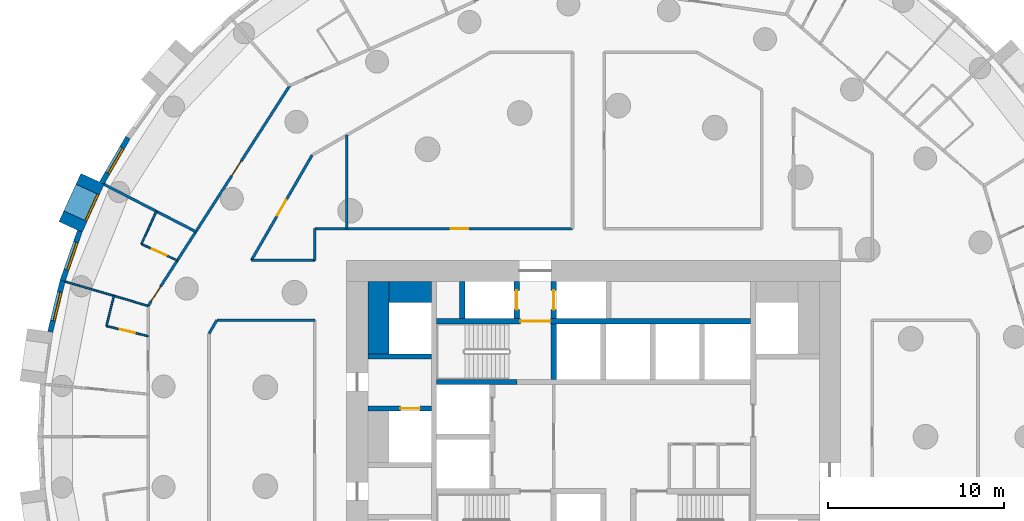
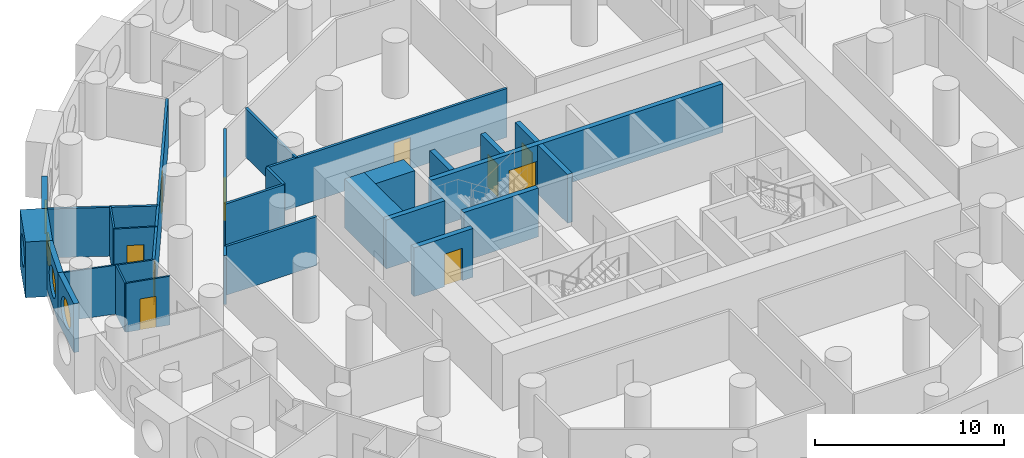
# One storey, part 7 of 12: 29 walls, 10 doors, 4 windows, 14 openings.
"""IFC4 building model written with IfcOpenShell, lengths in metres."""

import ifcopenshell
import ifcopenshell.guid

model = None  # the IFC model being written
_history = None  # IfcOwnerHistory: only IFC2X3 demands one
_inside = {}  # id of a spatial element -> (the spatial element, [elements in it])
_under = {}  # id of a project, library or spatial element -> (it, [spatial elements below it])
_declared = {}  # id of a project -> (the project, [libraries it declares])
_typed = {}  # id of a type object -> (the type object, [elements of that type])
_made_of = {}  # id of a material, layer set ... -> (it, [elements and type objects made of it])


def new_model(schema):
    """Start an empty IFC model of exactly this schema.

    Asked for "IFC4X3", IfcOpenShell would pick the latest addendum, in which some entities
    have other attributes; the version numbers below select the first issue.
    IFC2X3 requires an IfcOwnerHistory on every rooted entity: one is made here for all.
    """
    global model, _history
    if schema == "IFC4X3":
        model = ifcopenshell.file(schema_version=(4, 3, 0, 0))
    else:
        model = ifcopenshell.file(schema=schema)
    _inside.clear()
    _under.clear()
    _declared.clear()
    _typed.clear()
    _made_of.clear()
    _history = None
    if model.schema == "IFC2X3":
        org = make("IfcOrganization", Name="unknown")
        user = make(
            "IfcPersonAndOrganization",
            ThePerson=make("IfcPerson", FamilyName="unknown"),
            TheOrganization=org,
        )
        app = make(
            "IfcApplication",
            ApplicationDeveloper=org,
            Version="unknown",
            ApplicationFullName="unknown",
            ApplicationIdentifier="unknown",
        )
        _history = make(
            "IfcOwnerHistory",
            OwningUser=user,
            OwningApplication=app,
            ChangeAction="ADDED",
            CreationDate=0,
        )
    return model


def make(cls, **values):
    """One entity of the class cls with the attributes given. An attribute that is None is left unset."""
    return model.create_entity(
        cls, **{name: value for name, value in values.items() if value is not None}
    )


def rooted(cls, **values):
    """An entity with a GlobalId (a new one), such as an element, a storey or a relation."""
    return make(cls, GlobalId=ifcopenshell.guid.new(), OwnerHistory=_history, **values)


def si_unit(unit_type, name, prefix=None):
    """IfcSIUnit, for example si_unit("LENGTHUNIT", "METRE", prefix="MILLI")."""
    return make("IfcSIUnit", UnitType=unit_type, Prefix=prefix, Name=name)


def assignment(units):
    """IfcUnitAssignment: the units of a project."""
    return None if units is None else make("IfcUnitAssignment", Units=units)


def point(xyz):
    """IfcCartesianPoint."""
    return None if xyz is None else make("IfcCartesianPoint", Coordinates=xyz)


def direction(xyz):
    """IfcDirection."""
    return None if xyz is None else make("IfcDirection", DirectionRatios=xyz)


def frame(location, z_axis=None, x_axis=None):
    """IfcAxis2Placement3D, a coordinate frame: its origin and axes. An axis left out is left unset."""
    return make(
        "IfcAxis2Placement3D",
        Location=point(location),
        Axis=direction(z_axis),
        RefDirection=direction(x_axis),
    )


def frame_2d(location, x_axis=None):
    """IfcAxis2Placement2D, a coordinate frame in the plane: its origin and x axis."""
    return make(
        "IfcAxis2Placement2D", Location=point(location), RefDirection=direction(x_axis)
    )


def origin():
    """The frame at (0, 0, 0) with its axes left unset."""
    return frame((0.0, 0.0, 0.0))


def origin_2d():
    """The frame at (0, 0) in the plane with its x axis left unset."""
    return frame_2d((0.0, 0.0))


def place(relative_to, where):
    """IfcLocalPlacement: puts the frame where relative to a parent placement (None: the world)."""
    return make(
        "IfcLocalPlacement", PlacementRelTo=relative_to, RelativePlacement=where
    )


def context(
    kind, dimensions, precision=None, world=None, true_north=None, identifier=None
):
    """IfcGeometricRepresentationContext, for example the 3D "Model" context."""
    return make(
        "IfcGeometricRepresentationContext",
        ContextIdentifier=identifier,
        ContextType=kind,
        CoordinateSpaceDimension=dimensions,
        Precision=precision,
        WorldCoordinateSystem=world,
        TrueNorth=true_north,
    )


def subcontext(parent, identifier, kind, view, scale=None):
    """IfcGeometricRepresentationSubContext, for example "Body" below "Model"."""
    return make(
        "IfcGeometricRepresentationSubContext",
        ContextIdentifier=identifier,
        ContextType=kind,
        ParentContext=parent,
        TargetScale=scale,
        TargetView=view,
    )


def project(units=None, contexts=None):
    """IfcProject with its units and contexts."""
    return rooted(
        "IfcProject",
        Name="project",
        RepresentationContexts=contexts,
        UnitsInContext=assignment(units),
    )


def spatial(cls, under=None, at=None, **own):
    """A site, building, storey or space (cls), placed at a placement, below another one or the project."""
    s = rooted(cls, ObjectPlacement=at, **own)
    if under is not None:
        _under.setdefault(under.id(), (under, []))[1].append(s)
    return s


def profile(cls, at=None, kind="AREA", **sizes):
    """A parametric profile (cls). Its sizes go by their IFC names, for example OverallWidth=200.0."""
    return make(cls, ProfileType=kind, Position=at, **sizes)


def rectangle(**sizes):
    """IfcRectangleProfileDef."""
    return profile("IfcRectangleProfileDef", **sizes)


def circle(**sizes):
    """IfcCircleProfileDef."""
    return profile("IfcCircleProfileDef", **sizes)


def extrude(swept, where, along, depth):
    """IfcExtrudedAreaSolid: the profile swept, set in the frame where, extruded along a direction by depth."""
    return make(
        "IfcExtrudedAreaSolid",
        SweptArea=swept,
        Position=where,
        ExtrudedDirection=direction(along),
        Depth=depth,
    )


def shape(context_of_items, identifier, shape_type, items):
    """IfcShapeRepresentation: the items that make up one representation, for example the "Body"."""
    return make(
        "IfcShapeRepresentation",
        ContextOfItems=context_of_items,
        RepresentationIdentifier=identifier,
        RepresentationType=shape_type,
        Items=items,
    )


def material(Name=None, Category=None):
    """IfcMaterial."""
    return make("IfcMaterial", Name=Name, Category=Category)


def layer(
    of_material, thickness, ventilated=None, Name=None, Category=None, Priority=None
):
    """IfcMaterialLayer: one layer of a wall or slab, of a material (None: an air gap)."""
    return make(
        "IfcMaterialLayer",
        Material=of_material,
        LayerThickness=thickness,
        IsVentilated=ventilated,
        Name=Name,
        Category=Category,
        Priority=Priority,
    )


def layer_set(layers, Name=None):
    """IfcMaterialLayerSet."""
    return make("IfcMaterialLayerSet", MaterialLayers=layers, LayerSetName=Name)


def made_of(thing, what):
    """Note that an element or type object is made of a material, layer set ...; save() writes the relation."""
    if what is not None:
        _made_of.setdefault(what.id(), (what, []))[1].append(thing)
    return thing


def type_object(cls, material=None, **own):
    """A type object (cls), such as IfcWallType, which elements share."""
    return made_of(rooted(cls, **own), material)


def element(
    cls,
    number,
    at=None,
    inside=None,
    cuts=None,
    type_object=None,
    material=None,
    context=None,
    identifier="Body",
    shape_type=None,
    held_by="IfcProductDefinitionShape",
    body=None,
    shapes=None,
    **own,
):
    """One element of the class cls, such as IfcWall. Its Tag is "e" and its number.

    at: its placement. inside: the storey or other place that contains it. cuts: it is an
    opening in that element (IfcRelVoidsElement). A single representation is given by context,
    identifier, shape_type and body (its items); several are given by shapes. held_by: the class
    of the entity that holds the representations. save() writes the other relations.
    """
    e = rooted(cls, Tag="e%d" % number, ObjectPlacement=at, **own)
    if body is not None:
        shapes = [shape(context, identifier, shape_type, body)]
    if shapes is not None:
        e.Representation = make(held_by, Representations=shapes)
    if inside is not None:
        _inside.setdefault(inside.id(), (inside, []))[1].append(e)
    if cuts is not None:
        rooted(
            "IfcRelVoidsElement", RelatingBuildingElement=cuts, RelatedOpeningElement=e
        )
    if type_object is not None:
        _typed.setdefault(type_object.id(), (type_object, []))[1].append(e)
    return made_of(e, material)


def fill(opening, filler):
    """IfcRelFillsElement: the door or window that sits in an opening."""
    return rooted(
        "IfcRelFillsElement",
        RelatingOpeningElement=opening,
        RelatedBuildingElement=filler,
    )


def aggregate(whole, parts):
    """IfcRelAggregates: a whole, such as a stair, and the parts it consists of."""
    return rooted("IfcRelAggregates", RelatingObject=whole, RelatedObjects=parts)


def save(model, path):
    """Write the relations noted so far, then the file.

    IfcRelAggregates (storeys below a building ...), IfcRelContainedInSpatialStructure (elements
    in a storey), IfcRelDefinesByType, IfcRelAssociatesMaterial and IfcRelDeclares: one each for
    every whole, place, type object, material and project.
    """
    for whole, parts in _under.values():
        aggregate(whole, parts)
    for where, things in _inside.values():
        rooted(
            "IfcRelContainedInSpatialStructure",
            RelatedElements=things,
            RelatingStructure=where,
        )
    for kind, things in _typed.values():
        rooted("IfcRelDefinesByType", RelatedObjects=things, RelatingType=kind)
    for what, things in _made_of.values():
        rooted("IfcRelAssociatesMaterial", RelatedObjects=things, RelatingMaterial=what)
    for by, libraries in _declared.values():
        rooted("IfcRelDeclares", RelatingContext=by, RelatedDefinitions=libraries)
    model.write(path)


model = new_model("IFC4")

# Units and contexts
model_context = context("Model", 3, precision=1e-05, world=origin(), true_north=direction((0.0, 1.0)))
body_context = subcontext(model_context, "Body", "Model", "MODEL_VIEW")
ifc_project = project(units=[si_unit("LENGTHUNIT", "METRE"), si_unit("AREAUNIT", "SQUARE_METRE"), si_unit("VOLUMEUNIT", "CUBIC_METRE"), si_unit("PLANEANGLEUNIT", "RADIAN"), si_unit("MASSUNIT", "GRAM", prefix="KILO")], contexts=[model_context])

# Site, building, storey
site_placement = place(None, origin())
site = spatial("IfcSite", under=ifc_project, at=site_placement, CompositionType="ELEMENT")
building_placement = place(site_placement, origin())
building = spatial("IfcBuilding", under=site, at=building_placement, Name="Tracery Tower", CompositionType="ELEMENT")
storey_placement = place(building_placement, frame((0.0, 0.0, 103.800048828125)))
storey = spatial("IfcBuildingStorey", under=building, at=storey_placement, Name="L26", CompositionType="ELEMENT", Elevation=103.800048828125)

# Walls
ifc_material_1 = material(Name="Concrete C60/75", Category="concrete")
ifc_layer_1 = layer(ifc_material_1, 1.199951171875)
ifc_layer_set_1 = layer_set([ifc_layer_1], Name="Core strip wall 1200 C60")
wall_type_1 = type_object("IfcWallType", Name="Core strip wall 1200 C60", PredefinedType="SOLIDWALL", material=ifc_layer_set_1)
wall_1_placement = place(storey_placement, frame((-12.199951171875, 4.699951171875, 0.0), z_axis=(0.0, 0.0, 1.0), x_axis=(0.0, 1.0, 0.0)))
element("IfcWall", 1, at=wall_1_placement, inside=storey, type_object=wall_type_1, Name="L26 wing strip -1 4.55", PredefinedType="SOLIDWALL", context=body_context, shape_type="SweptSolid", body=[
    extrude(rectangle(XDim=4.10009765625, YDim=1.199951171875, at=frame_2d((2.050048828125, 0.0))), origin(), (0.0, 0.0, 1.0), 3.14990234375),
])
wall_2_placement = place(storey_placement, frame((-11.60009765625, 8.199951171875, 0.0), z_axis=(0.0, 0.0, 1.0), x_axis=(1.0, 0.0, 0.0)))
element("IfcWall", 2, at=wall_2_placement, inside=storey, type_object=wall_type_1, Name="L26 wing corner -1 +8.2", PredefinedType="SOLIDWALL", context=body_context, shape_type="SweptSolid", body=[
    extrude(rectangle(XDim=2.400146484375, YDim=1.199951171875, at=frame_2d((1.2001953125, 0.0))), origin(), (0.0, 0.0, 1.0), 3.14990234375),
])

# Wall, opening, window
ifc_material_2 = material(Name="Precast concrete C50/60", Category="concrete")
ifc_layer_2 = layer(ifc_material_2, 1.449951171875)
ifc_layer_set_2 = layer_set([ifc_layer_2], Name="Deep-set bay unit 3000 x 3600, slab edge 450")
wall_type_2 = type_object("IfcWallType", Name="Deep-set bay unit 3000 x 3600, slab edge 450", PredefinedType="ELEMENTEDWALL", material=ifc_layer_set_2)
wall_3_placement = place(storey_placement, frame((-28.40673828125, 14.6220703125, -0.449951171875), z_axis=(0.0, 0.0, 1.0), x_axis=(-0.415427028395, -0.909626508012, 0.0)))
wall_3 = element("IfcWall", 3, at=wall_3_placement, inside=storey, type_object=wall_type_2, Name="Deep-set bay unit 29 at L26", PredefinedType="ELEMENTEDWALL", context=body_context, shape_type="SweptSolid", body=[
    extrude(rectangle(XDim=3.000244140625, YDim=1.449951171875, at=frame_2d((1.5, 0.0))), origin(), (0.0, 0.0, 1.0), 3.599853515625),
])
opening_1_placement = place(wall_3_placement, frame((1.5, 0.0, 2.0)))
opening_1 = element("IfcOpeningElement", 4, at=opening_1_placement, cuts=wall_3, Name="Opening WN1", PredefinedType="OPENING", context=body_context, shape_type="SweptSolid", body=[
    extrude(circle(Radius=0.9000244140625, at=origin_2d()), frame((0.0, 0.73486328125, 0.0), z_axis=(0.0, -1.0, 0.0), x_axis=(1.0, 0.0, 0.0)), (0.0, 0.0, 1.0), 1.469970703125),
])
ifc_material_3 = material(Name="Aluminium frame with tinted double glazing", Category="aluminium")
window_type = type_object("IfcWindowType", Name="Round window 1800", PartitioningType="SINGLE_PANEL", PredefinedType="WINDOW", material=ifc_material_3)
window_1_placement = place(opening_1_placement, origin())
window_1 = element("IfcWindow", 5, at=window_1_placement, inside=storey, type_object=window_type, Name="Round window 29 at L26", OverallHeight=1.800048828125, OverallWidth=1.800048828125, PartitioningType="SINGLE_PANEL", PredefinedType="WINDOW", context=body_context, shape_type="SweptSolid", body=[
    extrude(circle(Radius=0.9000244140625, at=origin_2d()), frame((0.0, 0.69482421875, 0.0), z_axis=(0.0, -1.0, 0.0), x_axis=(1.0, 0.0, 0.0)), (0.0, 0.0, 1.0), 0.10009765625),
])
fill(opening_1, window_1)

ifc_material_4 = material(Name="Precast concrete C50/60", Category="concrete")
ifc_layer_3 = layer(ifc_material_4, 0.300048828125)
ifc_layer_set_3 = layer_set([ifc_layer_3], Name="Facade panel 3000 x 3150")
wall_type_3 = type_object("IfcWallType", Name="Facade panel 3000 x 3150", PredefinedType="SOLIDWALL", material=ifc_layer_set_3)
wall_4_placement = place(storey_placement, frame((-26.393798828125, 16.96240234375, 0.0), z_axis=(0.0, 0.0, 1.0), x_axis=(-0.500025049464, -0.866010940986, 0.0)))
wall_4 = element("IfcWall", 6, at=wall_4_placement, inside=storey, type_object=wall_type_3, Name="Facade panel 28 at L26", PredefinedType="SOLIDWALL", context=body_context, shape_type="SweptSolid", body=[
    extrude(rectangle(XDim=2.979736328125, YDim=0.300048828125, at=frame_2d((1.48974609375, 0.0))), origin(), (0.0, 0.0, 1.0), 3.14990234375),
])
opening_2_placement = place(wall_4_placement, frame((1.48974609375, 0.0, 1.5498046875)))
opening_2 = element("IfcOpeningElement", 7, at=opening_2_placement, cuts=wall_4, Name="Opening WN1", PredefinedType="OPENING", context=body_context, shape_type="SweptSolid", body=[
    extrude(circle(Radius=0.9000244140625, at=origin_2d()), frame((0.0, 0.159912109375, 0.0), z_axis=(0.0, -1.0, 0.0), x_axis=(1.0, 0.0, 0.0)), (0.0, 0.0, 1.0), 0.320068359375),
])
window_2_placement = place(opening_2_placement, origin())
window_2 = element("IfcWindow", 8, at=window_2_placement, inside=storey, type_object=window_type, Name="Round window 28 at L26", OverallHeight=1.800048828125, OverallWidth=1.800048828125, PartitioningType="SINGLE_PANEL", PredefinedType="WINDOW", context=body_context, shape_type="SweptSolid", body=[
    extrude(circle(Radius=0.9000244140625, at=origin_2d()), frame((0.0, 0.1201171875, 0.0), z_axis=(0.0, -1.0, 0.0), x_axis=(1.0, 0.0, 0.0)), (0.0, 0.0, 1.0), 0.10009765625),
])
fill(opening_2, window_2)

wall_5_placement = place(storey_placement, frame((-29.12890625, 11.655029296875, 0.0), z_axis=(0.0, 0.0, 1.0), x_axis=(-0.327071167136, -0.944999709856, 0.0)))
wall_5 = element("IfcWall", 9, at=wall_5_placement, inside=storey, type_object=wall_type_3, Name="Facade panel 30 at L26", PredefinedType="SOLIDWALL", context=body_context, shape_type="SweptSolid", body=[
    extrude(rectangle(XDim=2.979736328125, YDim=0.300048828125, at=frame_2d((1.48974609375, 0.0))), origin(), (0.0, 0.0, 1.0), 3.14990234375),
])
opening_3_placement = place(wall_5_placement, frame((1.48974609375, 0.0, 1.5498046875)))
opening_3 = element("IfcOpeningElement", 10, at=opening_3_placement, cuts=wall_5, Name="Opening WN1", PredefinedType="OPENING", context=body_context, shape_type="SweptSolid", body=[
    extrude(circle(Radius=0.9000244140625, at=origin_2d()), frame((0.0, 0.159912109375, 0.0), z_axis=(0.0, -1.0, 0.0), x_axis=(1.0, 0.0, 0.0)), (0.0, 0.0, 1.0), 0.320068359375),
])
window_3_placement = place(opening_3_placement, origin())
window_3 = element("IfcWindow", 11, at=window_3_placement, inside=storey, type_object=window_type, Name="Round window 30 at L26", OverallHeight=1.800048828125, OverallWidth=1.800048828125, PartitioningType="SINGLE_PANEL", PredefinedType="WINDOW", context=body_context, shape_type="SweptSolid", body=[
    extrude(circle(Radius=0.9000244140625, at=origin_2d()), frame((0.0, 0.1201171875, 0.0), z_axis=(0.0, -1.0, 0.0), x_axis=(1.0, 0.0, 0.0)), (0.0, 0.0, 1.0), 0.10009765625),
])
fill(opening_3, window_3)

wall_6_placement = place(storey_placement, frame((-30.103515625, 8.839111328125, 0.0), z_axis=(0.0, 0.0, 1.0), x_axis=(-0.235743081534, -0.971815414319, 0.0)))
wall_6 = element("IfcWall", 12, at=wall_6_placement, inside=storey, type_object=wall_type_3, Name="Facade panel 31 at L26", PredefinedType="SOLIDWALL", context=body_context, shape_type="SweptSolid", body=[
    extrude(rectangle(XDim=2.9794921875, YDim=0.300048828125, at=frame_2d((1.48974609375, 0.0))), origin(), (0.0, 0.0, 1.0), 3.14990234375),
])
opening_4_placement = place(wall_6_placement, frame((1.48974609375, 0.0, 1.5498046875)))
opening_4 = element("IfcOpeningElement", 13, at=opening_4_placement, cuts=wall_6, Name="Opening WN1", PredefinedType="OPENING", context=body_context, shape_type="SweptSolid", body=[
    extrude(circle(Radius=0.9000244140625, at=origin_2d()), frame((0.0, 0.159912109375, 0.0), z_axis=(0.0, -1.0, 0.0), x_axis=(1.0, 0.0, 0.0)), (0.0, 0.0, 1.0), 0.320068359375),
])
window_4_placement = place(opening_4_placement, origin())
window_4 = element("IfcWindow", 14, at=window_4_placement, inside=storey, type_object=window_type, Name="Round window 31 at L26", OverallHeight=1.800048828125, OverallWidth=1.800048828125, PartitioningType="SINGLE_PANEL", PredefinedType="WINDOW", context=body_context, shape_type="SweptSolid", body=[
    extrude(circle(Radius=0.9000244140625, at=origin_2d()), frame((0.0, 0.1201171875, 0.0), z_axis=(0.0, -1.0, 0.0), x_axis=(1.0, 0.0, 0.0)), (0.0, 0.0, 1.0), 0.10009765625),
])
fill(opening_4, window_4)

# Walls
ifc_material_5 = material(Name="Plasterboard on steel studs", Category="steel")
ifc_layer_4 = layer(ifc_material_5, 0.10009765625)
ifc_layer_set_4 = layer_set([ifc_layer_4], Name="Partition 100 stud")
wall_type_4 = type_object("IfcWallType", Name="Partition 100 stud", PredefinedType="PARTITIONING", material=ifc_layer_set_4)
wall_7_placement = place(storey_placement, frame((-29.958984375, 8.797119140625, 0.0), z_axis=(0.0, 0.0, 1.0), x_axis=(0.959434394536, -0.281931982189, 0.0)))
element("IfcWall", 15, at=wall_7_placement, inside=storey, type_object=wall_type_4, Name="Stud partition RA8-098", PredefinedType="PARTITIONING", context=body_context, shape_type="SweptSolid", body=[
    extrude(rectangle(XDim=2.876708984375, YDim=0.10009765625, at=frame_2d((1.4384765625, 0.0))), origin(), (0.0, 0.0, 1.0), 3.14990234375),
])
ifc_material_6 = material(Name="Plasterboard on steel studs", Category="steel")
ifc_layer_5 = layer(ifc_material_6, 0.10009765625)
ifc_layer_set_5 = layer_set([ifc_layer_5], Name="Partition 100 wet wall")
wall_type_5 = type_object("IfcWallType", Name="Partition 100 wet wall", PredefinedType="PARTITIONING", material=ifc_layer_set_5)
wall_8_placement = place(storey_placement, frame((-27.614990234375, 6.27294921875, 0.0), z_axis=(0.0, 0.0, 1.0), x_axis=(0.23598051436, 0.971757787127, 0.0)))
element("IfcWall", 16, at=wall_8_placement, inside=storey, type_object=wall_type_5, Name="Wet wall RA8-096", PredefinedType="PARTITIONING", context=body_context, shape_type="SweptSolid", body=[
    extrude(rectangle(XDim=1.762939453125, YDim=0.10009765625, at=frame_2d((0.88134765625, 0.0))), origin(), (0.0, 0.0, 1.0), 3.14990234375),
])

# Wall, opening, door
wall_9_placement = place(storey_placement, frame((-27.614990234375, 6.27294921875, 0.0), z_axis=(0.0, 0.0, 1.0), x_axis=(0.971814550876, -0.235746640921, 0.0)))
wall_9 = element("IfcWall", 17, at=wall_9_placement, inside=storey, type_object=wall_type_5, Name="Wet wall RA8-097", PredefinedType="PARTITIONING", context=body_context, shape_type="SweptSolid", body=[
    extrude(rectangle(XDim=2.4306640625, YDim=0.10009765625, at=frame_2d((1.21533203125, 0.0))), origin(), (0.0, 0.0, 1.0), 3.14990234375),
])
opening_5_placement = place(wall_9_placement, frame((0.764892578125, 0.0, 0.0)))
opening_5 = element("IfcOpeningElement", 18, at=opening_5_placement, cuts=wall_9, Name="Opening RA8-35", PredefinedType="OPENING", context=body_context, shape_type="SweptSolid", body=[
    extrude(rectangle(XDim=0.89990234375, YDim=2.0, at=frame_2d((0.449951171875, 1.0))), frame((0.0, 0.050048828125, 0.0), z_axis=(0.0, -1.0, 0.0), x_axis=(1.0, 0.0, 0.0)), (0.0, 0.0, 1.0), 0.10009765625),
])
ifc_material_7 = material(Name="Timber door leaf", Category="wood")
door_type_1 = type_object("IfcDoorType", Name="Door shower room 900", OperationType="NOTDEFINED", PredefinedType="DOOR", material=ifc_material_7)
door_1_placement = place(opening_5_placement, origin())
door_1 = element("IfcDoor", 19, at=door_1_placement, inside=storey, type_object=door_type_1, Name="Shower room door RA8-35", OperationType="SINGLE_SWING_LEFT", OverallHeight=2.0, OverallWidth=0.89990234375, PredefinedType="DOOR", context=body_context, shape_type="SweptSolid", body=[
    extrude(rectangle(XDim=0.89990234375, YDim=2.0, at=frame_2d((0.449951171875, 1.0))), frame((0.0, 0.02490234375, 0.0), z_axis=(0.0, -1.0, 0.0), x_axis=(1.0, 0.0, 0.0)), (0.0, 0.0, 1.0), 0.050048828125),
])
fill(opening_5, door_1)

# Walls
wall_10_placement = place(storey_placement, frame((-27.198974609375, 7.986083984375, 0.0), z_axis=(0.0, 0.0, 1.0), x_axis=(0.959541665722, -0.281566673708, 0.0)))
element("IfcWall", 20, at=wall_10_placement, inside=storey, type_object=wall_type_5, Name="Wet wall RA8-100", PredefinedType="PARTITIONING", context=body_context, shape_type="SweptSolid", body=[
    extrude(rectangle(XDim=2.028076171875, YDim=0.10009765625, at=frame_2d((1.01416015625, 0.0))), origin(), (0.0, 0.0, 1.0), 3.14990234375),
])
wall_11_placement = place(storey_placement, frame((-25.635986328125, 10.922119140625, 0.0), z_axis=(0.0, 0.0, 1.0), x_axis=(0.415361197493, 0.90965657015, 0.0)))
element("IfcWall", 21, at=wall_11_placement, inside=storey, type_object=wall_type_5, Name="Wet wall RA8-101", PredefinedType="PARTITIONING", context=body_context, shape_type="SweptSolid", body=[
    extrude(rectangle(XDim=2.041259765625, YDim=0.10009765625, at=frame_2d((1.0205078125, 0.0))), origin(), (0.0, 0.0, 1.0), 3.14990234375),
])

# Wall, opening, door
wall_12_placement = place(storey_placement, frame((-25.635986328125, 10.922119140625, 0.0), z_axis=(0.0, 0.0, 1.0), x_axis=(0.909641485443, -0.415394231978, 0.0)))
wall_12 = element("IfcWall", 22, at=wall_12_placement, inside=storey, type_object=wall_type_5, Name="Wet wall RA8-102", PredefinedType="PARTITIONING", context=body_context, shape_type="SweptSolid", body=[
    extrude(rectangle(XDim=2.24169921875, YDim=0.10009765625, at=frame_2d((1.120849609375, 0.0))), origin(), (0.0, 0.0, 1.0), 3.14990234375),
])
opening_6_placement = place(wall_12_placement, frame((0.6708984375, 0.0, 0.0)))
opening_6 = element("IfcOpeningElement", 23, at=opening_6_placement, cuts=wall_12, Name="Opening RA8-37", PredefinedType="OPENING", context=body_context, shape_type="SweptSolid", body=[
    extrude(rectangle(XDim=0.89990234375, YDim=2.0400390625, at=frame_2d((0.449951171875, 1.02001953125))), frame((0.0, 0.050048828125, 0.0), z_axis=(0.0, -1.0, 0.0), x_axis=(1.0, 0.0, 0.0)), (0.0, 0.0, 1.0), 0.10009765625),
])
ifc_material_8 = material(Name="Timber door leaf", Category="wood")
door_type_2 = type_object("IfcDoorType", Name="Door en-suite 900", OperationType="NOTDEFINED", PredefinedType="DOOR", material=ifc_material_8)
door_2_placement = place(opening_6_placement, origin())
door_2 = element("IfcDoor", 24, at=door_2_placement, inside=storey, type_object=door_type_2, Name="En-suite door RA8-37", OperationType="SINGLE_SWING_RIGHT", OverallHeight=2.0400390625, OverallWidth=0.89990234375, PredefinedType="DOOR", context=body_context, shape_type="SweptSolid", body=[
    extrude(rectangle(XDim=0.89990234375, YDim=2.0400390625, at=frame_2d((0.449951171875, 1.02001953125))), frame((0.0, 0.02490234375, 0.0), z_axis=(0.0, -1.0, 0.0), x_axis=(1.0, 0.0, 0.0)), (0.0, 0.0, 1.0), 0.050048828125),
])
fill(opening_6, door_2)

# Walls
ifc_material_9 = material(Name="Plasterboard on steel studs", Category="steel")
ifc_layer_6 = layer(ifc_material_9, 0.14990234375)
ifc_layer_set_6 = layer_set([ifc_layer_6], Name="Partition 150 acoustic unit wall")
wall_type_6 = type_object("IfcWallType", Name="Partition 150 acoustic unit wall", PredefinedType="PARTITIONING", material=ifc_layer_set_6)
wall_13_placement = place(storey_placement, frame((-14.0, 11.800048828125, 0.0), z_axis=(0.0, 0.0, 1.0), x_axis=(0.0, 1.0, 0.0)))
element("IfcWall", 25, at=wall_13_placement, inside=storey, type_object=wall_type_6, Name="Unit wall RA8-059", PredefinedType="PARTITIONING", context=body_context, shape_type="SweptSolid", body=[
    extrude(rectangle(XDim=5.2919921875, YDim=0.14990234375, at=frame_2d((2.64599609375, 0.0))), origin(), (0.0, 0.0, 1.0), 3.14990234375),
])
wall_14_placement = place(storey_placement, frame((-27.7529296875, 14.30810546875, 0.0), z_axis=(0.0, 0.0, 1.0), x_axis=(0.88877955153, -0.45833493079, 0.0)))
element("IfcWall", 26, at=wall_14_placement, inside=storey, type_object=wall_type_6, Name="Unit wall RA8-094", PredefinedType="PARTITIONING", context=body_context, shape_type="SweptSolid", body=[
    extrude(rectangle(XDim=5.856201171875, YDim=0.14990234375, at=frame_2d((2.92822265625, 0.0))), origin(), (0.0, 0.0, 1.0), 3.14990234375),
])

# Wall, opening, door
ifc_material_10 = material(Name="Plasterboard on steel studs", Category="steel")
ifc_layer_7 = layer(ifc_material_10, 0.14990234375)
ifc_layer_set_7 = layer_set([ifc_layer_7], Name="Partition 150 corridor wall")
wall_type_7 = type_object("IfcWallType", Name="Partition 150 corridor wall", PredefinedType="PARTITIONING", material=ifc_layer_set_7)
wall_15_placement = place(storey_placement, frame((-15.800048828125, 11.800048828125, 0.0), z_axis=(0.0, 0.0, 1.0), x_axis=(1.0, 0.0, 0.0)))
wall_15 = element("IfcWall", 27, at=wall_15_placement, inside=storey, type_object=wall_type_7, Name="Corridor wall RA8-001", PredefinedType="PARTITIONING", context=body_context, shape_type="SweptSolid", body=[
    extrude(rectangle(XDim=14.612060546875, YDim=0.14990234375, at=frame_2d((7.30615234375, 0.0))), origin(), (0.0, 0.0, 1.0), 3.14990234375),
])
opening_7_placement = place(wall_15_placement, frame((7.7041015625, 0.0, 0.0)))
opening_7 = element("IfcOpeningElement", 28, at=opening_7_placement, cuts=wall_15, Name="Opening RA8-01", PredefinedType="OPENING", context=body_context, shape_type="SweptSolid", body=[
    extrude(rectangle(XDim=1.0, YDim=2.0400390625, at=frame_2d((0.5, 1.02001953125))), frame((0.0, 0.074951171875, 0.0), z_axis=(0.0, -1.0, 0.0), x_axis=(1.0, 0.0, 0.0)), (0.0, 0.0, 1.0), 0.14990234375),
])
ifc_material_11 = material(Name="Timber door leaf", Category="wood")
door_type_3 = type_object("IfcDoorType", Name="Door communal room 1000", OperationType="NOTDEFINED", PredefinedType="DOOR", material=ifc_material_11)
door_3_placement = place(opening_7_placement, origin())
door_3 = element("IfcDoor", 29, at=door_3_placement, inside=storey, type_object=door_type_3, Name="Communal room door RA8-01", OperationType="SINGLE_SWING_RIGHT", OverallHeight=2.0400390625, OverallWidth=1.0, PredefinedType="DOOR", context=body_context, shape_type="SweptSolid", body=[
    extrude(rectangle(XDim=1.0, YDim=2.0400390625, at=frame_2d((0.5, 1.02001953125))), frame((0.0, 0.02490234375, 0.0), z_axis=(0.0, -1.0, 0.0), x_axis=(1.0, 0.0, 0.0)), (0.0, 0.0, 1.0), 0.050048828125),
])
fill(opening_7, door_3)

# Wall
wall_16_placement = place(storey_placement, frame((-15.800048828125, 10.0, 0.0), z_axis=(0.0, 0.0, 1.0), x_axis=(0.0, 1.0, 0.0)))
element("IfcWall", 30, at=wall_16_placement, inside=storey, type_object=wall_type_7, Name="Corridor wall RA8-005", PredefinedType="PARTITIONING", context=body_context, shape_type="SweptSolid", body=[
    extrude(rectangle(XDim=1.800048828125, YDim=0.14990234375, at=frame_2d((0.89990234375, 0.0))), origin(), (0.0, 0.0, 1.0), 3.14990234375),
])

# Wall, openings, doors
wall_17_placement = place(storey_placement, frame((-25.2548828125, 7.416259765625, 0.0), z_axis=(0.0, 0.0, 1.0), x_axis=(0.540805851332, 0.841147449123, 0.0)))
wall_17 = element("IfcWall", 31, at=wall_17_placement, inside=storey, type_object=wall_type_7, Name="Corridor wall RA8-036", PredefinedType="PARTITIONING", context=body_context, shape_type="SweptSolid", body=[
    extrude(rectangle(XDim=14.829345703125, YDim=0.14990234375, at=frame_2d((7.41455078125, 0.0))), origin(), (0.0, 0.0, 1.0), 3.14990234375),
])
opening_8_placement = place(wall_17_placement, frame((8.75390625, 0.0, 0.0)))
opening_8 = element("IfcOpeningElement", 32, at=opening_8_placement, cuts=wall_17, Name="Opening RA8-32", PredefinedType="OPENING", context=body_context, shape_type="SweptSolid", body=[
    extrude(rectangle(XDim=1.0, YDim=2.0400390625, at=frame_2d((0.5, 1.02001953125))), frame((0.0, 0.074951171875, 0.0), z_axis=(0.0, -1.0, 0.0), x_axis=(1.0, 0.0, 0.0)), (0.0, 0.0, 1.0), 0.14990234375),
])
opening_9_placement = place(wall_17_placement, frame((0.31591796875, 0.0, 0.0)))
opening_9 = element("IfcOpeningElement", 33, at=opening_9_placement, cuts=wall_17, Name="Opening RA8-36", PredefinedType="OPENING", context=body_context, shape_type="SweptSolid", body=[
    extrude(rectangle(XDim=1.0, YDim=2.10009765625, at=frame_2d((0.5, 1.050048828125))), frame((0.0, 0.074951171875, 0.0), z_axis=(0.0, -1.0, 0.0), x_axis=(1.0, 0.0, 0.0)), (0.0, 0.0, 1.0), 0.14990234375),
])
door_4_placement = place(opening_8_placement, origin())
door_4 = element("IfcDoor", 34, at=door_4_placement, inside=storey, type_object=door_type_3, Name="Communal room door RA8-32", OperationType="SINGLE_SWING_RIGHT", OverallHeight=2.0400390625, OverallWidth=1.0, PredefinedType="DOOR", context=body_context, shape_type="SweptSolid", body=[
    extrude(rectangle(XDim=1.0, YDim=2.0400390625, at=frame_2d((0.5, 1.02001953125))), frame((0.0, 0.02490234375, 0.0), z_axis=(0.0, -1.0, 0.0), x_axis=(1.0, 0.0, 0.0)), (0.0, 0.0, 1.0), 0.050048828125),
])
fill(opening_8, door_4)
ifc_material_12 = material(Name="Timber door leaf", Category="wood")
door_type_4 = type_object("IfcDoorType", Name="Door unit entrance 1000", OperationType="NOTDEFINED", PredefinedType="DOOR", material=ifc_material_12)
door_5_placement = place(opening_9_placement, origin())
door_5 = element("IfcDoor", 35, at=door_5_placement, inside=storey, type_object=door_type_4, Name="Unit entrance door RA8-36", OperationType="SINGLE_SWING_LEFT", OverallHeight=2.10009765625, OverallWidth=1.0, PredefinedType="DOOR", context=body_context, shape_type="SweptSolid", body=[
    extrude(rectangle(XDim=1.0, YDim=2.10009765625, at=frame_2d((0.5, 1.050048828125))), frame((0.0, 0.02490234375, 0.0), z_axis=(0.0, -1.0, 0.0), x_axis=(1.0, 0.0, 0.0)), (0.0, 0.0, 1.0), 0.050048828125),
])
fill(opening_9, door_5)

# Walls
wall_18_placement = place(storey_placement, frame((-21.364013671875, 6.60009765625, 0.0), z_axis=(0.0, 0.0, 1.0), x_axis=(1.0, 0.0, 0.0)))
element("IfcWall", 36, at=wall_18_placement, inside=storey, type_object=wall_type_7, Name="Corridor wall RA8-038", PredefinedType="PARTITIONING", context=body_context, shape_type="SweptSolid", body=[
    extrude(rectangle(XDim=5.56396484375, YDim=0.14990234375, at=frame_2d((2.781982421875, 0.0))), origin(), (0.0, 0.0, 1.0), 3.14990234375),
])
wall_19_placement = place(storey_placement, frame((-21.802001953125, 5.842041015625, 0.0), z_axis=(0.0, 0.0, 1.0), x_axis=(0.500277597875, 0.865865073245, 0.0)))
element("IfcWall", 37, at=wall_19_placement, inside=storey, type_object=wall_type_7, Name="Corridor wall RA8-039", PredefinedType="PARTITIONING", context=body_context, shape_type="SweptSolid", body=[
    extrude(rectangle(XDim=0.87548828125, YDim=0.14990234375, at=frame_2d((0.437744140625, 0.0))), origin(), (0.0, 0.0, 1.0), 3.14990234375),
])

# Wall, opening, door
wall_20_placement = place(storey_placement, frame((-19.40087890625, 10.0, 0.0), z_axis=(0.0, 0.0, 1.0), x_axis=(0.499992689227, 0.86602962462, 0.0)))
wall_20 = element("IfcWall", 38, at=wall_20_placement, inside=storey, type_object=wall_type_7, Name="Corridor wall RA8-043", PredefinedType="PARTITIONING", context=body_context, shape_type="SweptSolid", body=[
    extrude(rectangle(XDim=6.8818359375, YDim=0.14990234375, at=frame_2d((3.44091796875, 0.0))), origin(), (0.0, 0.0, 1.0), 3.14990234375),
])
opening_10_placement = place(wall_20_placement, frame((2.94091796875, 0.0, 0.0)))
opening_10 = element("IfcOpeningElement", 39, at=opening_10_placement, cuts=wall_20, Name="Opening RA8-09", PredefinedType="OPENING", context=body_context, shape_type="SweptSolid", body=[
    extrude(rectangle(XDim=1.0, YDim=2.0400390625, at=frame_2d((0.5, 1.02001953125))), frame((0.0, 0.074951171875, 0.0), z_axis=(0.0, -1.0, 0.0), x_axis=(1.0, 0.0, 0.0)), (0.0, 0.0, 1.0), 0.14990234375),
])
door_6_placement = place(opening_10_placement, origin())
door_6 = element("IfcDoor", 40, at=door_6_placement, inside=storey, type_object=door_type_3, Name="Communal room door RA8-09", OperationType="SINGLE_SWING_LEFT", OverallHeight=2.0400390625, OverallWidth=1.0, PredefinedType="DOOR", context=body_context, shape_type="SweptSolid", body=[
    extrude(rectangle(XDim=1.0, YDim=2.0400390625, at=frame_2d((0.5, 1.02001953125))), frame((0.0, 0.02490234375, 0.0), z_axis=(0.0, -1.0, 0.0), x_axis=(1.0, 0.0, 0.0)), (0.0, 0.0, 1.0), 0.050048828125),
])
fill(opening_10, door_6)

# Walls
wall_21_placement = place(storey_placement, frame((-19.40087890625, 10.0, 0.0), z_axis=(0.0, 0.0, 1.0), x_axis=(1.0, 0.0, 0.0)))
element("IfcWall", 41, at=wall_21_placement, inside=storey, type_object=wall_type_7, Name="Corridor wall RA8-044", PredefinedType="PARTITIONING", context=body_context, shape_type="SweptSolid", body=[
    extrude(rectangle(XDim=3.600830078125, YDim=0.14990234375, at=frame_2d((1.80029296875, 0.0))), origin(), (0.0, 0.0, 1.0), 3.14990234375),
])
ifc_material_13 = material(Name="Concrete C60/75", Category="concrete")
ifc_layer_8 = layer(ifc_material_13, 0.300048828125)
ifc_layer_set_8 = layer_set([ifc_layer_8], Name="Shaft wall 300 C60")
wall_type_8 = type_object("IfcWallType", Name="Shaft wall 300 C60", PredefinedType="SOLIDWALL", material=ifc_layer_set_8)
wall_22_placement = place(storey_placement, frame((-7.449951171875, 6.699951171875, 0.0), z_axis=(0.0, 0.0, 1.0), x_axis=(0.0, 1.0, 0.0)))
element("IfcWall", 42, at=wall_22_placement, inside=storey, type_object=wall_type_8, Name="L26 LR sep -7.45", PredefinedType="SOLIDWALL", context=body_context, shape_type="SweptSolid", body=[
    extrude(rectangle(XDim=2.10009765625, YDim=0.300048828125, at=frame_2d((1.050048828125, 0.0))), origin(), (0.0, 0.0, 1.0), 3.14990234375),
])

# Wall, opening, door
wall_23_placement = place(storey_placement, frame((-4.35009765625, 6.699951171875, 0.0), z_axis=(0.0, 0.0, 1.0), x_axis=(0.0, 1.0, 0.0)))
wall_23 = element("IfcWall", 43, at=wall_23_placement, inside=storey, type_object=wall_type_8, Name="L26 LR sep -4.35", PredefinedType="SOLIDWALL", context=body_context, shape_type="SweptSolid", body=[
    extrude(rectangle(XDim=2.10009765625, YDim=0.300048828125, at=frame_2d((1.050048828125, 0.0))), origin(), (0.0, 0.0, 1.0), 3.14990234375),
])
opening_11_placement = place(wall_23_placement, frame((0.5, 0.0, 0.0)))
opening_11 = element("IfcOpeningElement", 44, at=opening_11_placement, cuts=wall_23, Name="Opening KD50", PredefinedType="OPENING", context=body_context, shape_type="SweptSolid", body=[
    extrude(rectangle(XDim=1.10009765625, YDim=2.10009765625, at=frame_2d((0.550048828125, 1.050048828125))), frame((0.0, 0.14990234375, 0.0), z_axis=(0.0, -1.0, 0.0), x_axis=(1.0, 0.0, 0.0)), (0.0, 0.0, 1.0), 0.300048828125),
])
ifc_material_14 = material(Name="Steel fire door", Category="steel")
door_type_5 = type_object("IfcDoorType", Name="Landing door 1100", OperationType="NOTDEFINED", PredefinedType="DOOR", material=ifc_material_14)
door_7_placement = place(opening_11_placement, origin())
door_7 = element("IfcDoor", 45, at=door_7_placement, inside=storey, type_object=door_type_5, Name="Landing door LR3", OperationType="SLIDING_TO_RIGHT", OverallHeight=2.10009765625, OverallWidth=1.10009765625, PredefinedType="DOOR", context=body_context, shape_type="SweptSolid", body=[
    extrude(rectangle(XDim=1.10009765625, YDim=2.10009765625, at=frame_2d((0.550048828125, 1.050048828125))), frame((0.0, 0.02490234375, 0.0), z_axis=(0.0, -1.0, 0.0), x_axis=(1.0, 0.0, 0.0)), (0.0, 0.0, 1.0), 0.050048828125),
])
fill(opening_11, door_7)

# Wall
wall_24_placement = place(storey_placement, frame((-12.800048828125, 4.550048828125, 0.0), z_axis=(0.0, 0.0, 1.0), x_axis=(1.0, 0.0, 0.0)))
element("IfcWall", 46, at=wall_24_placement, inside=storey, type_object=wall_type_8, Name="L26 wing shaft wall -1 +4.55", PredefinedType="SOLIDWALL", context=body_context, shape_type="SweptSolid", body=[
    extrude(rectangle(XDim=3.60009765625, YDim=0.300048828125, at=frame_2d((1.800048828125, 0.0))), origin(), (0.0, 0.0, 1.0), 3.14990234375),
])

# Wall, opening, door
wall_25_placement = place(storey_placement, frame((-12.800048828125, 1.60009765625, 0.0), z_axis=(0.0, 0.0, 1.0), x_axis=(1.0, 0.0, 0.0)))
wall_25 = element("IfcWall", 47, at=wall_25_placement, inside=storey, type_object=wall_type_8, Name="L26 wing shaft wall -1 +1.60", PredefinedType="SOLIDWALL", context=body_context, shape_type="SweptSolid", body=[
    extrude(rectangle(XDim=3.60009765625, YDim=0.300048828125, at=frame_2d((1.800048828125, 0.0))), origin(), (0.0, 0.0, 1.0), 3.14990234375),
])
opening_12_placement = place(wall_25_placement, frame((1.85009765625, 0.0, 0.0)))
opening_12 = element("IfcOpeningElement", 48, at=opening_12_placement, cuts=wall_25, Name="Opening KD50", PredefinedType="OPENING", context=body_context, shape_type="SweptSolid", body=[
    extrude(rectangle(XDim=1.10009765625, YDim=2.10009765625, at=frame_2d((0.550048828125, 1.050048828125))), frame((0.0, 0.14990234375, 0.0), z_axis=(0.0, -1.0, 0.0), x_axis=(1.0, 0.0, 0.0)), (0.0, 0.0, 1.0), 0.300048828125),
])
door_8_placement = place(opening_12_placement, origin())
door_8 = element("IfcDoor", 49, at=door_8_placement, inside=storey, type_object=door_type_5, Name="Landing door LR1", OperationType="SLIDING_TO_RIGHT", OverallHeight=2.10009765625, OverallWidth=1.10009765625, PredefinedType="DOOR", context=body_context, shape_type="SweptSolid", body=[
    extrude(rectangle(XDim=1.10009765625, YDim=2.10009765625, at=frame_2d((0.550048828125, 1.050048828125))), frame((0.0, 0.02490234375, 0.0), z_axis=(0.0, -1.0, 0.0), x_axis=(1.0, 0.0, 0.0)), (0.0, 0.0, 1.0), 0.050048828125),
])
fill(opening_12, door_8)

# Walls
ifc_material_15 = material(Name="Concrete C60/75", Category="concrete")
ifc_layer_9 = layer(ifc_material_15, 0.300048828125)
ifc_layer_set_9 = layer_set([ifc_layer_9], Name="Stair wall 300 C60")
wall_type_9 = type_object("IfcWallType", Name="Stair wall 300 C60", PredefinedType="SOLIDWALL", material=ifc_layer_set_9)
wall_26_placement = place(storey_placement, frame((-8.89990234375, 3.10009765625, 0.0), z_axis=(0.0, 0.0, 1.0), x_axis=(1.0, 0.0, 0.0)))
element("IfcWall", 50, at=wall_26_placement, inside=storey, type_object=wall_type_9, Name="L26 row N W", PredefinedType="SOLIDWALL", context=body_context, shape_type="SweptSolid", body=[
    extrude(rectangle(XDim=4.5498046875, YDim=0.300048828125, at=frame_2d((2.27490234375, 0.0))), origin(), (0.0, 0.0, 1.0), 3.14990234375),
])
wall_27_placement = place(storey_placement, frame((-2.25, 3.25, 0.0), z_axis=(0.0, 0.0, 1.0), x_axis=(0.0, 1.0, 0.0)))
element("IfcWall", 51, at=wall_27_placement, inside=storey, type_object=wall_type_9, Name="L26 ST3 E", PredefinedType="SOLIDWALL", context=body_context, shape_type="SweptSolid", body=[
    extrude(rectangle(XDim=3.14990234375, YDim=0.300048828125, at=frame_2d((1.574951171875, 0.0))), origin(), (0.0, 0.0, 1.0), 3.14990234375),
])

# Wall, opening, door
wall_28_placement = place(storey_placement, frame((-8.89990234375, 6.550048828125, 0.0), z_axis=(0.0, 0.0, 1.0), x_axis=(1.0, 0.0, 0.0)))
wall_28 = element("IfcWall", 52, at=wall_28_placement, inside=storey, type_object=wall_type_9, Name="L26 F N", PredefinedType="SOLIDWALL", context=body_context, shape_type="SweptSolid", body=[
    extrude(rectangle(XDim=17.7998046875, YDim=0.300048828125, at=frame_2d((8.89990234375, 0.0))), origin(), (0.0, 0.0, 1.0), 3.14990234375),
])
opening_13_placement = place(wall_28_placement, frame((4.75, 0.0, 0.0)))
opening_13 = element("IfcOpeningElement", 53, at=opening_13_placement, cuts=wall_28, Name="Opening KD3", PredefinedType="OPENING", context=body_context, shape_type="SweptSolid", body=[
    extrude(rectangle(XDim=1.699951171875, YDim=2.10009765625, at=frame_2d((0.85009765625, 1.050048828125))), frame((0.0, 0.14990234375, 0.0), z_axis=(0.0, -1.0, 0.0), x_axis=(1.0, 0.0, 0.0)), (0.0, 0.0, 1.0), 0.300048828125),
])
ifc_material_16 = material(Name="Steel fire door", Category="steel")
door_type_6 = type_object("IfcDoorType", Name="Core stair door 1700 double", OperationType="NOTDEFINED", PredefinedType="DOOR", material=ifc_material_16)
door_9_placement = place(opening_13_placement, origin())
door_9 = element("IfcDoor", 54, at=door_9_placement, inside=storey, type_object=door_type_6, Name="Stair door ST3 N", OperationType="DOUBLE_DOOR_SINGLE_SWING", OverallHeight=2.10009765625, OverallWidth=1.699951171875, PredefinedType="DOOR", context=body_context, shape_type="SweptSolid", body=[
    extrude(rectangle(XDim=1.699951171875, YDim=2.10009765625, at=frame_2d((0.85009765625, 1.050048828125))), frame((0.0, 0.02490234375, 0.0), z_axis=(0.0, -1.0, 0.0), x_axis=(1.0, 0.0, 0.0)), (0.0, 0.0, 1.0), 0.050048828125),
])
fill(opening_13, door_9)

wall_29_placement = place(storey_placement, frame((-2.25, 6.699951171875, 0.0), z_axis=(0.0, 0.0, 1.0), x_axis=(0.0, 1.0, 0.0)))
wall_29 = element("IfcWall", 55, at=wall_29_placement, inside=storey, type_object=wall_type_9, Name="L26 ST3 E out", PredefinedType="SOLIDWALL", context=body_context, shape_type="SweptSolid", body=[
    extrude(rectangle(XDim=2.10009765625, YDim=0.300048828125, at=frame_2d((1.050048828125, 0.0))), origin(), (0.0, 0.0, 1.0), 3.14990234375),
])
opening_14_placement = place(wall_29_placement, frame((0.5, 0.0, 0.0)))
opening_14 = element("IfcOpeningElement", 56, at=opening_14_placement, cuts=wall_29, Name="Opening KD49", PredefinedType="OPENING", context=body_context, shape_type="SweptSolid", body=[
    extrude(rectangle(XDim=1.10009765625, YDim=2.10009765625, at=frame_2d((0.550048828125, 1.050048828125))), frame((0.0, 0.14990234375, 0.0), z_axis=(0.0, -1.0, 0.0), x_axis=(1.0, 0.0, 0.0)), (0.0, 0.0, 1.0), 0.300048828125),
])
door_10_placement = place(opening_14_placement, origin())
door_10 = element("IfcDoor", 57, at=door_10_placement, inside=storey, type_object=door_type_5, Name="Landing door LR2", OperationType="SLIDING_TO_LEFT", OverallHeight=2.10009765625, OverallWidth=1.10009765625, PredefinedType="DOOR", context=body_context, shape_type="SweptSolid", body=[
    extrude(rectangle(XDim=1.10009765625, YDim=2.10009765625, at=frame_2d((0.550048828125, 1.050048828125))), frame((0.0, 0.02490234375, 0.0), z_axis=(0.0, -1.0, 0.0), x_axis=(1.0, 0.0, 0.0)), (0.0, 0.0, 1.0), 0.050048828125),
])
fill(opening_14, door_10)

save(model, "model.ifc")
